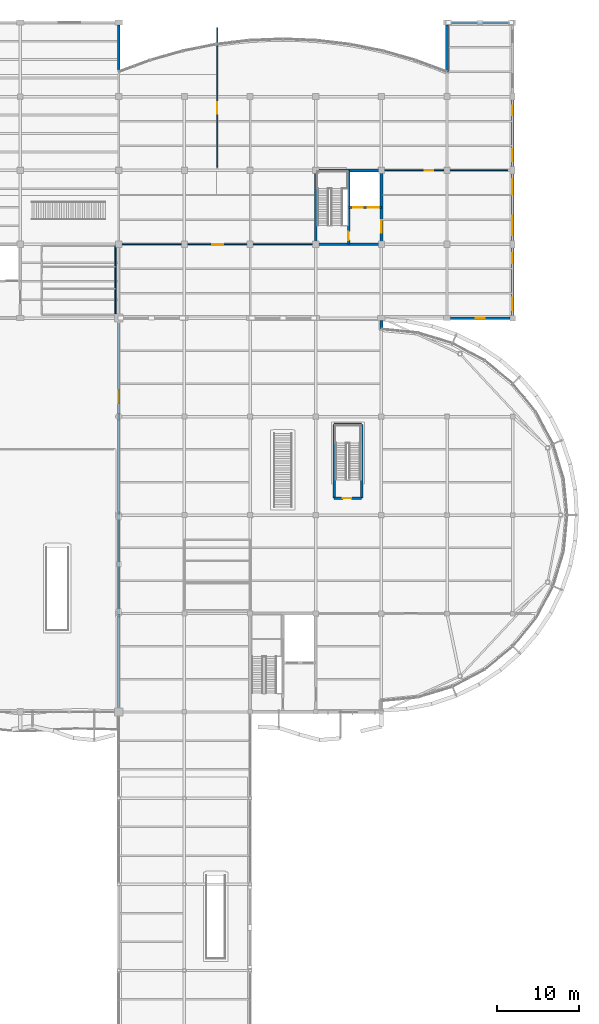
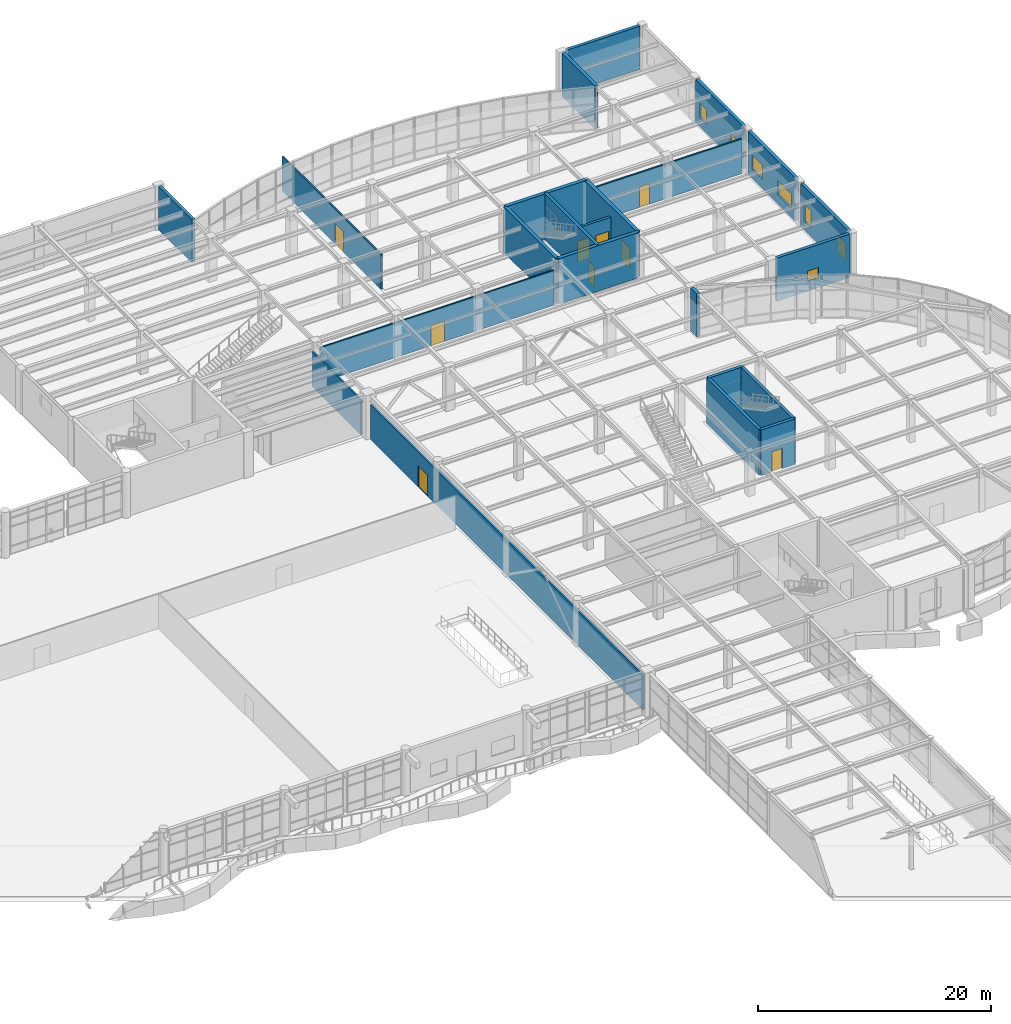
# One storey, part 54 of 72: 23 walls, 9 doors, 7 windows, 16 openings.
"""IFC4 building model written with IfcOpenShell, lengths in metres."""

import ifcopenshell
import ifcopenshell.guid

model = None  # the IFC model being written
_history = None  # IfcOwnerHistory: only IFC2X3 demands one
_inside = {}  # id of a spatial element -> (the spatial element, [elements in it])
_under = {}  # id of a project, library or spatial element -> (it, [spatial elements below it])
_declared = {}  # id of a project -> (the project, [libraries it declares])
_typed = {}  # id of a type object -> (the type object, [elements of that type])
_made_of = {}  # id of a material, layer set ... -> (it, [elements and type objects made of it])


def new_model(schema):
    """Start an empty IFC model of exactly this schema.

    Asked for "IFC4X3", IfcOpenShell would pick the latest addendum, in which some entities
    have other attributes; the version numbers below select the first issue.
    IFC2X3 requires an IfcOwnerHistory on every rooted entity: one is made here for all.
    """
    global model, _history
    if schema == "IFC4X3":
        model = ifcopenshell.file(schema_version=(4, 3, 0, 0))
    else:
        model = ifcopenshell.file(schema=schema)
    _inside.clear()
    _under.clear()
    _declared.clear()
    _typed.clear()
    _made_of.clear()
    _history = None
    if model.schema == "IFC2X3":
        org = make("IfcOrganization", Name="unknown")
        user = make(
            "IfcPersonAndOrganization",
            ThePerson=make("IfcPerson", FamilyName="unknown"),
            TheOrganization=org,
        )
        app = make(
            "IfcApplication",
            ApplicationDeveloper=org,
            Version="unknown",
            ApplicationFullName="unknown",
            ApplicationIdentifier="unknown",
        )
        _history = make(
            "IfcOwnerHistory",
            OwningUser=user,
            OwningApplication=app,
            ChangeAction="ADDED",
            CreationDate=0,
        )
    return model


def make(cls, **values):
    """One entity of the class cls with the attributes given. An attribute that is None is left unset."""
    return model.create_entity(
        cls, **{name: value for name, value in values.items() if value is not None}
    )


def rooted(cls, **values):
    """An entity with a GlobalId (a new one), such as an element, a storey or a relation."""
    return make(cls, GlobalId=ifcopenshell.guid.new(), OwnerHistory=_history, **values)


def si_unit(unit_type, name, prefix=None):
    """IfcSIUnit, for example si_unit("LENGTHUNIT", "METRE", prefix="MILLI")."""
    return make("IfcSIUnit", UnitType=unit_type, Prefix=prefix, Name=name)


def assignment(units):
    """IfcUnitAssignment: the units of a project."""
    return None if units is None else make("IfcUnitAssignment", Units=units)


def point(xyz):
    """IfcCartesianPoint."""
    return None if xyz is None else make("IfcCartesianPoint", Coordinates=xyz)


def direction(xyz):
    """IfcDirection."""
    return None if xyz is None else make("IfcDirection", DirectionRatios=xyz)


def frame(location, z_axis=None, x_axis=None):
    """IfcAxis2Placement3D, a coordinate frame: its origin and axes. An axis left out is left unset."""
    return make(
        "IfcAxis2Placement3D",
        Location=point(location),
        Axis=direction(z_axis),
        RefDirection=direction(x_axis),
    )


def frame_2d(location, x_axis=None):
    """IfcAxis2Placement2D, a coordinate frame in the plane: its origin and x axis."""
    return make(
        "IfcAxis2Placement2D", Location=point(location), RefDirection=direction(x_axis)
    )


def origin():
    """The frame at (0, 0, 0) with its axes left unset."""
    return frame((0.0, 0.0, 0.0))


def place(relative_to, where):
    """IfcLocalPlacement: puts the frame where relative to a parent placement (None: the world)."""
    return make(
        "IfcLocalPlacement", PlacementRelTo=relative_to, RelativePlacement=where
    )


def context(
    kind, dimensions, precision=None, world=None, true_north=None, identifier=None
):
    """IfcGeometricRepresentationContext, for example the 3D "Model" context."""
    return make(
        "IfcGeometricRepresentationContext",
        ContextIdentifier=identifier,
        ContextType=kind,
        CoordinateSpaceDimension=dimensions,
        Precision=precision,
        WorldCoordinateSystem=world,
        TrueNorth=true_north,
    )


def subcontext(parent, identifier, kind, view, scale=None):
    """IfcGeometricRepresentationSubContext, for example "Body" below "Model"."""
    return make(
        "IfcGeometricRepresentationSubContext",
        ContextIdentifier=identifier,
        ContextType=kind,
        ParentContext=parent,
        TargetScale=scale,
        TargetView=view,
    )


def project(units=None, contexts=None):
    """IfcProject with its units and contexts."""
    return rooted(
        "IfcProject",
        Name="project",
        RepresentationContexts=contexts,
        UnitsInContext=assignment(units),
    )


def spatial(cls, under=None, at=None, **own):
    """A site, building, storey or space (cls), placed at a placement, below another one or the project."""
    s = rooted(cls, ObjectPlacement=at, **own)
    if under is not None:
        _under.setdefault(under.id(), (under, []))[1].append(s)
    return s


def profile(cls, at=None, kind="AREA", **sizes):
    """A parametric profile (cls). Its sizes go by their IFC names, for example OverallWidth=200.0."""
    return make(cls, ProfileType=kind, Position=at, **sizes)


def rectangle(**sizes):
    """IfcRectangleProfileDef."""
    return profile("IfcRectangleProfileDef", **sizes)


def extrude(swept, where, along, depth):
    """IfcExtrudedAreaSolid: the profile swept, set in the frame where, extruded along a direction by depth."""
    return make(
        "IfcExtrudedAreaSolid",
        SweptArea=swept,
        Position=where,
        ExtrudedDirection=direction(along),
        Depth=depth,
    )


def shape(context_of_items, identifier, shape_type, items):
    """IfcShapeRepresentation: the items that make up one representation, for example the "Body"."""
    return make(
        "IfcShapeRepresentation",
        ContextOfItems=context_of_items,
        RepresentationIdentifier=identifier,
        RepresentationType=shape_type,
        Items=items,
    )


def material(Name=None, Category=None):
    """IfcMaterial."""
    return make("IfcMaterial", Name=Name, Category=Category)


def layer(
    of_material, thickness, ventilated=None, Name=None, Category=None, Priority=None
):
    """IfcMaterialLayer: one layer of a wall or slab, of a material (None: an air gap)."""
    return make(
        "IfcMaterialLayer",
        Material=of_material,
        LayerThickness=thickness,
        IsVentilated=ventilated,
        Name=Name,
        Category=Category,
        Priority=Priority,
    )


def layer_set(layers, Name=None):
    """IfcMaterialLayerSet."""
    return make("IfcMaterialLayerSet", MaterialLayers=layers, LayerSetName=Name)


def made_of(thing, what):
    """Note that an element or type object is made of a material, layer set ...; save() writes the relation."""
    if what is not None:
        _made_of.setdefault(what.id(), (what, []))[1].append(thing)
    return thing


def type_object(cls, material=None, **own):
    """A type object (cls), such as IfcWallType, which elements share."""
    return made_of(rooted(cls, **own), material)


def element(
    cls,
    number,
    at=None,
    inside=None,
    cuts=None,
    type_object=None,
    material=None,
    context=None,
    identifier="Body",
    shape_type=None,
    held_by="IfcProductDefinitionShape",
    body=None,
    shapes=None,
    **own,
):
    """One element of the class cls, such as IfcWall. Its Tag is "e" and its number.

    at: its placement. inside: the storey or other place that contains it. cuts: it is an
    opening in that element (IfcRelVoidsElement). A single representation is given by context,
    identifier, shape_type and body (its items); several are given by shapes. held_by: the class
    of the entity that holds the representations. save() writes the other relations.
    """
    e = rooted(cls, Tag="e%d" % number, ObjectPlacement=at, **own)
    if body is not None:
        shapes = [shape(context, identifier, shape_type, body)]
    if shapes is not None:
        e.Representation = make(held_by, Representations=shapes)
    if inside is not None:
        _inside.setdefault(inside.id(), (inside, []))[1].append(e)
    if cuts is not None:
        rooted(
            "IfcRelVoidsElement", RelatingBuildingElement=cuts, RelatedOpeningElement=e
        )
    if type_object is not None:
        _typed.setdefault(type_object.id(), (type_object, []))[1].append(e)
    return made_of(e, material)


def fill(opening, filler):
    """IfcRelFillsElement: the door or window that sits in an opening."""
    return rooted(
        "IfcRelFillsElement",
        RelatingOpeningElement=opening,
        RelatedBuildingElement=filler,
    )


def aggregate(whole, parts):
    """IfcRelAggregates: a whole, such as a stair, and the parts it consists of."""
    return rooted("IfcRelAggregates", RelatingObject=whole, RelatedObjects=parts)


def save(model, path):
    """Write the relations noted so far, then the file.

    IfcRelAggregates (storeys below a building ...), IfcRelContainedInSpatialStructure (elements
    in a storey), IfcRelDefinesByType, IfcRelAssociatesMaterial and IfcRelDeclares: one each for
    every whole, place, type object, material and project.
    """
    for whole, parts in _under.values():
        aggregate(whole, parts)
    for where, things in _inside.values():
        rooted(
            "IfcRelContainedInSpatialStructure",
            RelatedElements=things,
            RelatingStructure=where,
        )
    for kind, things in _typed.values():
        rooted("IfcRelDefinesByType", RelatedObjects=things, RelatingType=kind)
    for what, things in _made_of.values():
        rooted("IfcRelAssociatesMaterial", RelatedObjects=things, RelatingMaterial=what)
    for by, libraries in _declared.values():
        rooted("IfcRelDeclares", RelatingContext=by, RelatedDefinitions=libraries)
    model.write(path)


model = new_model("IFC4")

# Units and contexts
model_context = context("Model", 3, precision=1e-05, world=origin(), true_north=direction((0.0, 1.0)))
body_context = subcontext(model_context, "Body", "Model", "MODEL_VIEW")
ifc_project = project(units=[si_unit("LENGTHUNIT", "METRE"), si_unit("AREAUNIT", "SQUARE_METRE"), si_unit("VOLUMEUNIT", "CUBIC_METRE"), si_unit("PLANEANGLEUNIT", "RADIAN"), si_unit("MASSUNIT", "GRAM", prefix="KILO")], contexts=[model_context])

# Site, building, storey
site_placement = place(None, origin())
site = spatial("IfcSite", under=ifc_project, at=site_placement, CompositionType="ELEMENT")
building_placement = place(site_placement, origin())
building = spatial("IfcBuilding", under=site, at=building_placement, Name="Keelwater Ferry Terminal", CompositionType="ELEMENT")
storey_placement = place(building_placement, frame((0.0, 0.0, 5.39990234375)))
storey = spatial("IfcBuildingStorey", under=building, at=storey_placement, Name="L01", CompositionType="ELEMENT", Elevation=5.39990234375)

# Wall
ifc_material_1 = material(Name="Precast concrete C40/50", Category="concrete")
ifc_layer_1 = layer(ifc_material_1, 0.340087890625)
ifc_layer_set_1 = layer_set([ifc_layer_1], Name="Precast concrete C40/50")
wall_type_1 = type_object("IfcWallType", Name="EW-LM340 External Solid Wall 340", PredefinedType="SOLIDWALL", material=ifc_layer_set_1)
wall_1_placement = place(storey_placement, frame((164.0, 88.64990234375, 0.0), z_axis=(0.0, 0.0, 1.0), x_axis=(0.0, 1.0, 0.0)))
element("IfcWall", 1, at=wall_1_placement, inside=storey, type_object=wall_type_1, Name="External Wall WL-L01-0024", PredefinedType="SOLIDWALL", context=body_context, shape_type="SweptSolid", body=[
    extrude(rectangle(XDim=1.050048828125, YDim=0.340087890625, at=frame_2d((0.52490234375, 0.0))), origin(), (0.0, 0.0, 1.0), 4.52001953125),
])

# Wall, openings, windows
ifc_material_2 = material(Name="Precast concrete C40/50", Category="concrete")
ifc_layer_2 = layer(ifc_material_2, 0.320068359375)
ifc_layer_set_2 = layer_set([ifc_layer_2], Name="Precast concrete C40/50")
wall_type_2 = type_object("IfcWallType", Name="EW-TC320 External Solid Wall 320", PredefinedType="SOLIDWALL", material=ifc_layer_set_2)
wall_2_placement = place(storey_placement, frame((180.0, 90.324951171875, 0.0), z_axis=(0.0, 0.0, 1.0), x_axis=(0.0, 1.0, 0.0)))
wall_2 = element("IfcWall", 2, at=wall_2_placement, inside=storey, type_object=wall_type_2, Name="External Wall WL-L01-0083", PredefinedType="SOLIDWALL", context=body_context, shape_type="SweptSolid", body=[
    extrude(rectangle(XDim=8.22509765625, YDim=0.320068359375, at=frame_2d((4.112548828125, 0.0))), origin(), (0.0, 0.0, 1.0), 4.52001953125),
])
opening_1_placement = place(wall_2_placement, frame((0.64990234375, 0.0, 0.949951171875)))
opening_1 = element("IfcOpeningElement", 3, at=opening_1_placement, cuts=wall_2, Name="Opening WN-09", PredefinedType="OPENING", context=body_context, shape_type="SweptSolid", body=[
    extrude(rectangle(XDim=1.5, YDim=1.800048828125, at=frame_2d((0.75, 0.89990234375))), frame((0.0, 0.170166015625, 0.0), z_axis=(0.0, -1.0, 0.0), x_axis=(1.0, 0.0, 0.0)), (0.0, 0.0, 1.0), 0.340087890625),
])
opening_2_placement = place(wall_2_placement, frame((6.375, 0.0, 0.949951171875)))
opening_2 = element("IfcOpeningElement", 4, at=opening_2_placement, cuts=wall_2, Name="Opening WN-10", PredefinedType="OPENING", context=body_context, shape_type="SweptSolid", body=[
    extrude(rectangle(XDim=1.199951171875, YDim=1.800048828125, at=frame_2d((0.60009765625, 0.89990234375))), frame((0.0, 0.170166015625, 0.0), z_axis=(0.0, -1.0, 0.0), x_axis=(1.0, 0.0, 0.0)), (0.0, 0.0, 1.0), 0.340087890625),
])
ifc_material_3 = material(Name="Triple low-E glass in thermally broken aluminium frame", Category="aluminium")
window_type_1 = type_object("IfcWindowType", Name="WN-09 Exterior Window 1500x1800", PartitioningType="SINGLE_PANEL", PredefinedType="WINDOW", material=ifc_material_3)
window_1_placement = place(opening_1_placement, origin())
window_1 = element("IfcWindow", 5, at=window_1_placement, inside=storey, type_object=window_type_1, Name="Window WN-L01-0041", OverallHeight=1.800048828125, OverallWidth=1.5, PartitioningType="SINGLE_PANEL", PredefinedType="WINDOW", context=body_context, shape_type="SweptSolid", body=[
    extrude(rectangle(XDim=1.5, YDim=1.800048828125, at=frame_2d((0.75, 0.89990234375))), frame((0.0, 0.030029296875, 0.0), z_axis=(0.0, -1.0, 0.0), x_axis=(1.0, 0.0, 0.0)), (0.0, 0.0, 1.0), 0.06005859375),
])
fill(opening_1, window_1)
ifc_material_4 = material(Name="Triple low-E glass in thermally broken aluminium frame", Category="aluminium")
window_type_2 = type_object("IfcWindowType", Name="WN-10 Exterior Window 1200x1800", PartitioningType="SINGLE_PANEL", PredefinedType="WINDOW", material=ifc_material_4)
window_2_placement = place(opening_2_placement, origin())
window_2 = element("IfcWindow", 6, at=window_2_placement, inside=storey, type_object=window_type_2, Name="Window WN-L01-0042", OverallHeight=1.800048828125, OverallWidth=1.199951171875, PartitioningType="SINGLE_PANEL", PredefinedType="WINDOW", context=body_context, shape_type="SweptSolid", body=[
    extrude(rectangle(XDim=1.199951171875, YDim=1.800048828125, at=frame_2d((0.60009765625, 0.89990234375))), frame((0.0, 0.030029296875, 0.0), z_axis=(0.0, -1.0, 0.0), x_axis=(1.0, 0.0, 0.0)), (0.0, 0.0, 1.0), 0.06005859375),
])
fill(opening_2, window_2)

wall_3_placement = place(storey_placement, frame((180.0, 99.449951171875, 0.0), z_axis=(0.0, 0.0, 1.0), x_axis=(0.0, 1.0, 0.0)))
wall_3 = element("IfcWall", 7, at=wall_3_placement, inside=storey, type_object=wall_type_2, Name="External Wall WL-L01-0084", PredefinedType="SOLIDWALL", context=body_context, shape_type="SweptSolid", body=[
    extrude(rectangle(XDim=8.10009765625, YDim=0.320068359375, at=frame_2d((4.050048828125, 0.0))), origin(), (0.0, 0.0, 1.0), 4.52001953125),
])
opening_3_placement = place(wall_3_placement, frame((0.64990234375, 0.0, 0.949951171875)))
opening_3 = element("IfcOpeningElement", 8, at=opening_3_placement, cuts=wall_3, Name="Opening WN-11", PredefinedType="OPENING", context=body_context, shape_type="SweptSolid", body=[
    extrude(rectangle(XDim=2.39990234375, YDim=1.5, at=frame_2d((1.199951171875, 0.75))), frame((0.0, 0.170166015625, 0.0), z_axis=(0.0, -1.0, 0.0), x_axis=(1.0, 0.0, 0.0)), (0.0, 0.0, 1.0), 0.340087890625),
])
opening_4_placement = place(wall_3_placement, frame((5.64990234375, 0.0, 0.949951171875)))
opening_4 = element("IfcOpeningElement", 9, at=opening_4_placement, cuts=wall_3, Name="Opening WN-12", PredefinedType="OPENING", context=body_context, shape_type="SweptSolid", body=[
    extrude(rectangle(XDim=1.800048828125, YDim=1.5, at=frame_2d((0.89990234375, 0.75))), frame((0.0, 0.170166015625, 0.0), z_axis=(0.0, -1.0, 0.0), x_axis=(1.0, 0.0, 0.0)), (0.0, 0.0, 1.0), 0.340087890625),
])
ifc_material_5 = material(Name="Triple low-E glass in thermally broken aluminium frame", Category="aluminium")
window_type_3 = type_object("IfcWindowType", Name="WN-11 Exterior Window 2400x1500", PartitioningType="SINGLE_PANEL", PredefinedType="WINDOW", material=ifc_material_5)
window_3_placement = place(opening_3_placement, origin())
window_3 = element("IfcWindow", 10, at=window_3_placement, inside=storey, type_object=window_type_3, Name="Window WN-L01-0043", OverallHeight=1.5, OverallWidth=2.39990234375, PartitioningType="SINGLE_PANEL", PredefinedType="WINDOW", context=body_context, shape_type="SweptSolid", body=[
    extrude(rectangle(XDim=2.39990234375, YDim=1.5, at=frame_2d((1.199951171875, 0.75))), frame((0.0, 0.030029296875, 0.0), z_axis=(0.0, -1.0, 0.0), x_axis=(1.0, 0.0, 0.0)), (0.0, 0.0, 1.0), 0.06005859375),
])
fill(opening_3, window_3)
ifc_material_6 = material(Name="Triple low-E glass in thermally broken aluminium frame", Category="aluminium")
window_type_4 = type_object("IfcWindowType", Name="WN-12 Exterior Window 1800x1500", PartitioningType="SINGLE_PANEL", PredefinedType="WINDOW", material=ifc_material_6)
window_4_placement = place(opening_4_placement, origin())
window_4 = element("IfcWindow", 11, at=window_4_placement, inside=storey, type_object=window_type_4, Name="Window WN-L01-0044", OverallHeight=1.5, OverallWidth=1.800048828125, PartitioningType="SINGLE_PANEL", PredefinedType="WINDOW", context=body_context, shape_type="SweptSolid", body=[
    extrude(rectangle(XDim=1.800048828125, YDim=1.5, at=frame_2d((0.89990234375, 0.75))), frame((0.0, 0.030029296875, 0.0), z_axis=(0.0, -1.0, 0.0), x_axis=(1.0, 0.0, 0.0)), (0.0, 0.0, 1.0), 0.06005859375),
])
fill(opening_4, window_4)

wall_4_placement = place(storey_placement, frame((180.0, 108.449951171875, 0.0), z_axis=(0.0, 0.0, 1.0), x_axis=(0.0, 1.0, 0.0)))
wall_4 = element("IfcWall", 12, at=wall_4_placement, inside=storey, type_object=wall_type_2, Name="External Wall WL-L01-0085", PredefinedType="SOLIDWALL", context=body_context, shape_type="SweptSolid", body=[
    extrude(rectangle(XDim=8.10009765625, YDim=0.320068359375, at=frame_2d((4.050048828125, 0.0))), origin(), (0.0, 0.0, 1.0), 4.52001953125),
])
opening_5_placement = place(wall_4_placement, frame((0.64990234375, 0.0, 0.949951171875)))
opening_5 = element("IfcOpeningElement", 13, at=opening_5_placement, cuts=wall_4, Name="Opening WN-13", PredefinedType="OPENING", context=body_context, shape_type="SweptSolid", body=[
    extrude(rectangle(XDim=1.5, YDim=1.5, at=frame_2d((0.75, 0.75))), frame((0.0, 0.170166015625, 0.0), z_axis=(0.0, -1.0, 0.0), x_axis=(1.0, 0.0, 0.0)), (0.0, 0.0, 1.0), 0.340087890625),
])
opening_6_placement = place(wall_4_placement, frame((6.25, 0.0, 0.949951171875)))
opening_6 = element("IfcOpeningElement", 14, at=opening_6_placement, cuts=wall_4, Name="Opening WN-14", PredefinedType="OPENING", context=body_context, shape_type="SweptSolid", body=[
    extrude(rectangle(XDim=1.199951171875, YDim=1.5, at=frame_2d((0.60009765625, 0.75))), frame((0.0, 0.170166015625, 0.0), z_axis=(0.0, -1.0, 0.0), x_axis=(1.0, 0.0, 0.0)), (0.0, 0.0, 1.0), 0.340087890625),
])
ifc_material_7 = material(Name="Triple low-E glass in thermally broken aluminium frame", Category="aluminium")
window_type_5 = type_object("IfcWindowType", Name="WN-13 Exterior Window 1500x1500", PartitioningType="SINGLE_PANEL", PredefinedType="WINDOW", material=ifc_material_7)
window_5_placement = place(opening_5_placement, origin())
window_5 = element("IfcWindow", 15, at=window_5_placement, inside=storey, type_object=window_type_5, Name="Window WN-L01-0045", OverallHeight=1.5, OverallWidth=1.5, PartitioningType="SINGLE_PANEL", PredefinedType="WINDOW", context=body_context, shape_type="SweptSolid", body=[
    extrude(rectangle(XDim=1.5, YDim=1.5, at=frame_2d((0.75, 0.75))), frame((0.0, 0.030029296875, 0.0), z_axis=(0.0, -1.0, 0.0), x_axis=(1.0, 0.0, 0.0)), (0.0, 0.0, 1.0), 0.06005859375),
])
fill(opening_5, window_5)
ifc_material_8 = material(Name="Triple low-E glass in thermally broken aluminium frame", Category="aluminium")
window_type_6 = type_object("IfcWindowType", Name="WN-14 Exterior Window 1200x1500", PartitioningType="SINGLE_PANEL", PredefinedType="WINDOW", material=ifc_material_8)
window_6_placement = place(opening_6_placement, origin())
window_6 = element("IfcWindow", 16, at=window_6_placement, inside=storey, type_object=window_type_6, Name="Window WN-L01-0046", OverallHeight=1.5, OverallWidth=1.199951171875, PartitioningType="SINGLE_PANEL", PredefinedType="WINDOW", context=body_context, shape_type="SweptSolid", body=[
    extrude(rectangle(XDim=1.199951171875, YDim=1.5, at=frame_2d((0.60009765625, 0.75))), frame((0.0, 0.030029296875, 0.0), z_axis=(0.0, -1.0, 0.0), x_axis=(1.0, 0.0, 0.0)), (0.0, 0.0, 1.0), 0.06005859375),
])
fill(opening_6, window_6)

# Wall, opening, window
wall_5_placement = place(storey_placement, frame((179.675048828125, 90.0, 0.0), z_axis=(0.0, 0.0, 1.0), x_axis=(-1.0, 0.0, 0.0)))
wall_5 = element("IfcWall", 17, at=wall_5_placement, inside=storey, type_object=wall_type_2, Name="External Wall WL-L01-0087", PredefinedType="SOLIDWALL", context=body_context, shape_type="SweptSolid", body=[
    extrude(rectangle(XDim=7.22509765625, YDim=0.320068359375, at=frame_2d((3.612548828125, 0.0))), origin(), (0.0, 0.0, 1.0), 4.52001953125),
])
opening_7_placement = place(wall_5_placement, frame((3.06298828125, 0.0, 1.0)))
opening_7 = element("IfcOpeningElement", 18, at=opening_7_placement, cuts=wall_5, Name="Opening WN-17", PredefinedType="OPENING", context=body_context, shape_type="SweptSolid", body=[
    extrude(rectangle(XDim=1.10009765625, YDim=1.10009765625, at=frame_2d((0.550048828125, 0.550048828125))), frame((0.0, 0.170166015625, 0.0), z_axis=(0.0, -1.0, 0.0), x_axis=(1.0, 0.0, 0.0)), (0.0, 0.0, 1.0), 0.340087890625),
])
ifc_material_9 = material(Name="Triple low-E glass in thermally broken aluminium frame", Category="aluminium")
window_type_7 = type_object("IfcWindowType", Name="WN-17 Exterior Window 1100x1100", PartitioningType="SINGLE_PANEL", PredefinedType="WINDOW", material=ifc_material_9)
window_7_placement = place(opening_7_placement, origin())
window_7 = element("IfcWindow", 19, at=window_7_placement, inside=storey, type_object=window_type_7, Name="Window WN-L01-0049", OverallHeight=1.10009765625, OverallWidth=1.10009765625, PartitioningType="SINGLE_PANEL", PredefinedType="WINDOW", context=body_context, shape_type="SweptSolid", body=[
    extrude(rectangle(XDim=1.10009765625, YDim=1.10009765625, at=frame_2d((0.550048828125, 0.550048828125))), frame((0.0, 0.030029296875, 0.0), z_axis=(0.0, -1.0, 0.0), x_axis=(1.0, 0.0, 0.0)), (0.0, 0.0, 1.0), 0.06005859375),
])
fill(opening_7, window_7)

# Walls
for number, where, z_axis, x_axis, name in (
    (20, (132.0, 125.699951171875, 0.0), (0.0, 0.0, 1.0), (0.0, -1.0, 0.0), "External Wall WL-L01-0091"),
    (21, (172.0, 120.0, 0.0), (0.0, 0.0, 1.0), (0.0, 1.0, 0.0), "External Wall WL-L01-0092"),
):
    element("IfcWall", number, at=place(storey_placement, frame(where, z_axis=z_axis, x_axis=x_axis)), inside=storey, type_object=wall_type_2, Name=name, PredefinedType="SOLIDWALL", context=body_context, shape_type="SweptSolid", body=[
        extrude(rectangle(XDim=5.699951171875, YDim=0.320068359375, at=frame_2d((2.85009765625, 0.0))), origin(), (0.0, 0.0, 1.0), 4.52001953125),
    ])
wall_6_placement = place(storey_placement, frame((172.449951171875, 126.0, 0.0), z_axis=(0.0, 0.0, 1.0), x_axis=(1.0, 0.0, 0.0)))
element("IfcWall", 22, at=wall_6_placement, inside=storey, type_object=wall_type_2, Name="External Wall WL-L01-0095", PredefinedType="SOLIDWALL", context=body_context, shape_type="SweptSolid", body=[
    extrude(rectangle(XDim=7.22509765625, YDim=0.320068359375, at=frame_2d((3.612548828125, 0.0))), origin(), (0.0, 0.0, 1.0), 4.52001953125),
])

# Wall, opening, door
ifc_material_10 = material(Name="Concrete C40/50", Category="concrete")
ifc_layer_3 = layer(ifc_material_10, 0.199951171875)
ifc_layer_set_3 = layer_set([ifc_layer_3], Name="Concrete C40/50")
wall_type_3 = type_object("IfcWallType", Name="IW-200 Solid Wall 200", PredefinedType="SOLIDWALL", material=ifc_layer_set_3)
wall_7_placement = place(storey_placement, frame((132.0, 42.60009765625, 0.0), z_axis=(0.0, 0.0, 1.0), x_axis=(0.0, 1.0, 0.0)))
wall_7 = element("IfcWall", 23, at=wall_7_placement, inside=storey, type_object=wall_type_3, Name="Interior Wall WL-INT-L01-0246", PredefinedType="SOLIDWALL", context=body_context, shape_type="SweptSolid", body=[
    extrude(rectangle(XDim=46.7998046875, YDim=0.199951171875, at=frame_2d((23.39990234375, 0.0))), origin(), (0.0, 0.0, 1.0), 3.650146484375),
])
opening_8_placement = place(wall_7_placement, frame((37.0, 0.0, 0.0)))
opening_8 = element("IfcOpeningElement", 24, at=opening_8_placement, cuts=wall_7, Name="Opening DR-027", PredefinedType="OPENING", context=body_context, shape_type="SweptSolid", body=[
    extrude(rectangle(XDim=1.60009765625, YDim=2.199951171875, at=frame_2d((0.800048828125, 1.10009765625))), frame((0.0, 0.110107421875, 0.0), z_axis=(0.0, -1.0, 0.0), x_axis=(1.0, 0.0, 0.0)), (0.0, 0.0, 1.0), 0.219970703125),
])
ifc_material_11 = material(Name="Acoustic oak and fire-rated steel frame door", Category="steel")
door_type_1 = type_object("IfcDoorType", Name="ID-01 Pedestrian Door 1600x2200", OperationType="DOUBLE_DOOR_SINGLE_SWING", PredefinedType="DOOR", material=ifc_material_11)
door_1_placement = place(opening_8_placement, origin())
door_1 = element("IfcDoor", 25, at=door_1_placement, inside=storey, type_object=door_type_1, Name="Door DR-027", OperationType="DOUBLE_DOOR_SINGLE_SWING", OverallHeight=2.199951171875, OverallWidth=1.60009765625, PredefinedType="DOOR", context=body_context, shape_type="SweptSolid", body=[
    extrude(rectangle(XDim=1.60009765625, YDim=2.199951171875, at=frame_2d((0.800048828125, 1.10009765625))), frame((0.0, 0.02490234375, 0.0), z_axis=(0.0, -1.0, 0.0), x_axis=(1.0, 0.0, 0.0)), (0.0, 0.0, 1.0), 0.050048828125),
])
fill(opening_8, door_1)

# Wall, openings, doors
ifc_material_12 = material(Name="Concrete C40/50", Category="concrete")
ifc_layer_4 = layer(ifc_material_12, 0.25)
ifc_layer_set_4 = layer_set([ifc_layer_4], Name="Concrete C40/50")
wall_type_4 = type_object("IfcWallType", Name="IW-250 Solid Wall 250", PredefinedType="SOLIDWALL", material=ifc_layer_set_4)
wall_8_placement = place(storey_placement, frame((164.0, 103.5, 0.0), z_axis=(0.0, 0.0, 1.0), x_axis=(-1.0, 0.0, 0.0)))
wall_8 = element("IfcWall", 26, at=wall_8_placement, inside=storey, type_object=wall_type_4, Name="Interior Wall WL-INT-L01-0066", PredefinedType="SOLIDWALL", context=body_context, shape_type="SweptSolid", body=[
    extrude(rectangle(XDim=4.0, YDim=0.25, at=frame_2d((2.0, 0.0))), origin(), (0.0, 0.0, 1.0), 3.650146484375),
])
opening_9_placement = place(wall_8_placement, frame((0.35009765625, 0.0, 0.0)))
opening_9 = element("IfcOpeningElement", 27, at=opening_9_placement, cuts=wall_8, Name="Opening LD-021", PredefinedType="OPENING", context=body_context, shape_type="SweptSolid", body=[
    extrude(rectangle(XDim=1.300048828125, YDim=2.25, at=frame_2d((0.64990234375, 1.125))), frame((0.0, 0.135009765625, 0.0), z_axis=(0.0, -1.0, 0.0), x_axis=(1.0, 0.0, 0.0)), (0.0, 0.0, 1.0), 0.27001953125),
])
opening_10_placement = place(wall_8_placement, frame((2.25, 0.0, 0.0)))
opening_10 = element("IfcOpeningElement", 28, at=opening_10_placement, cuts=wall_8, Name="Opening LD-022", PredefinedType="OPENING", context=body_context, shape_type="SweptSolid", body=[
    extrude(rectangle(XDim=1.199951171875, YDim=2.199951171875, at=frame_2d((0.60009765625, 1.10009765625))), frame((0.0, 0.135009765625, 0.0), z_axis=(0.0, -1.0, 0.0), x_axis=(1.0, 0.0, 0.0)), (0.0, 0.0, 1.0), 0.27001953125),
])
ifc_material_13 = material(Name="Stainless steel sliding landing doors", Category="steel")
door_type_2 = type_object("IfcDoorType", Name="LD-T2 Lift Landing Door 1200x2200", OperationType="DOUBLE_DOOR_SLIDING", PredefinedType="USERDEFINED", material=ifc_material_13)
door_2_placement = place(opening_10_placement, origin())
door_2 = element("IfcDoor", 29, at=door_2_placement, inside=storey, type_object=door_type_2, Name="Door LD-022", ObjectType="LANDING DOOR", OperationType="DOUBLE_DOOR_SLIDING", OverallHeight=2.199951171875, OverallWidth=1.199951171875, PredefinedType="USERDEFINED", context=body_context, shape_type="SweptSolid", body=[
    extrude(rectangle(XDim=1.199951171875, YDim=2.199951171875, at=frame_2d((0.60009765625, 1.10009765625))), frame((0.0, 0.02490234375, 0.0), z_axis=(0.0, -1.0, 0.0), x_axis=(1.0, 0.0, 0.0)), (0.0, 0.0, 1.0), 0.050048828125),
])
fill(opening_10, door_2)
ifc_material_14 = material(Name="Stainless steel sliding landing doors", Category="steel")
door_type_3 = type_object("IfcDoorType", Name="LD-T3 Lift Landing Door 1300x2250", OperationType="DOUBLE_DOOR_SLIDING", PredefinedType="USERDEFINED", material=ifc_material_14)
door_3_placement = place(opening_9_placement, origin())
door_3 = element("IfcDoor", 30, at=door_3_placement, inside=storey, type_object=door_type_3, Name="Door LD-021", ObjectType="LANDING DOOR", OperationType="DOUBLE_DOOR_SLIDING", OverallHeight=2.25, OverallWidth=1.300048828125, PredefinedType="USERDEFINED", context=body_context, shape_type="SweptSolid", body=[
    extrude(rectangle(XDim=1.300048828125, YDim=2.25, at=frame_2d((0.64990234375, 1.125))), frame((0.0, 0.02490234375, 0.0), z_axis=(0.0, -1.0, 0.0), x_axis=(1.0, 0.0, 0.0)), (0.0, 0.0, 1.0), 0.050048828125),
])
fill(opening_9, door_3)

# Wall, opening, door
ifc_material_15 = material(Name="Gypsum board on acoustic steel stud", Category="steel")
ifc_layer_5 = layer(ifc_material_15, 0.125)
ifc_layer_set_5 = layer_set([ifc_layer_5], Name="Gypsum board on acoustic steel stud")
wall_type_5 = type_object("IfcWallType", Name="PT-125 Partition Wall 125", PredefinedType="PARTITIONING", material=ifc_layer_set_5)
wall_9_placement = place(storey_placement, frame((132.39990234375, 99.0, 0.0), z_axis=(0.0, 0.0, 1.0), x_axis=(1.0, 0.0, 0.0)))
wall_9 = element("IfcWall", 31, at=wall_9_placement, inside=storey, type_object=wall_type_5, Name="Interior Wall WL-INT-L01-0249", PredefinedType="PARTITIONING", context=body_context, shape_type="SweptSolid", body=[
    extrude(rectangle(XDim=23.2001953125, YDim=0.125, at=frame_2d((11.60009765625, 0.0))), origin(), (0.0, 0.0, 1.0), 3.650146484375),
])
opening_11_placement = place(wall_9_placement, frame((11.0, 0.0, 0.0)))
opening_11 = element("IfcOpeningElement", 32, at=opening_11_placement, cuts=wall_9, Name="Opening DR-030", PredefinedType="OPENING", context=body_context, shape_type="SweptSolid", body=[
    extrude(rectangle(XDim=1.35009765625, YDim=2.14990234375, at=frame_2d((0.675048828125, 1.074951171875))), frame((0.0, 0.072509765625, 0.0), z_axis=(0.0, -1.0, 0.0), x_axis=(1.0, 0.0, 0.0)), (0.0, 0.0, 1.0), 0.14501953125),
])
ifc_material_16 = material(Name="Acoustic oak and fire-rated steel frame door", Category="steel")
door_type_4 = type_object("IfcDoorType", Name="ID-04 Pedestrian Door 1350x2150", OperationType="DOUBLE_DOOR_SINGLE_SWING", PredefinedType="DOOR", material=ifc_material_16)
door_4_placement = place(opening_11_placement, origin())
door_4 = element("IfcDoor", 33, at=door_4_placement, inside=storey, type_object=door_type_4, Name="Door DR-030", OperationType="DOUBLE_DOOR_SINGLE_SWING", OverallHeight=2.14990234375, OverallWidth=1.35009765625, PredefinedType="DOOR", context=body_context, shape_type="SweptSolid", body=[
    extrude(rectangle(XDim=1.35009765625, YDim=2.14990234375, at=frame_2d((0.675048828125, 1.074951171875))), frame((0.0, 0.02490234375, 0.0), z_axis=(0.0, -1.0, 0.0), x_axis=(1.0, 0.0, 0.0)), (0.0, 0.0, 1.0), 0.050048828125),
])
fill(opening_11, door_4)

# Wall
ifc_material_17 = material(Name="Gypsum board on acoustic steel stud", Category="steel")
ifc_layer_6 = layer(ifc_material_17, 0.14990234375)
ifc_layer_set_6 = layer_set([ifc_layer_6], Name="Gypsum board on acoustic steel stud")
wall_type_6 = type_object("IfcWallType", Name="PT-150 Partition Wall 150", PredefinedType="PARTITIONING", material=ifc_layer_set_6)
wall_10_placement = place(storey_placement, frame((131.60009765625, 90.39990234375, 0.0), z_axis=(0.0, 0.0, 1.0), x_axis=(0.0, 1.0, 0.0)))
element("IfcWall", 34, at=wall_10_placement, inside=storey, type_object=wall_type_6, Name="Interior Wall WL-INT-L01-0173", PredefinedType="PARTITIONING", context=body_context, shape_type="SweptSolid", body=[
    extrude(rectangle(XDim=8.400146484375, YDim=0.14990234375, at=frame_2d((4.2001953125, 0.0))), origin(), (0.0, 0.0, 1.0), 3.650146484375),
])

# Wall, opening, door
wall_11_placement = place(storey_placement, frame((144.0, 108.39990234375, 0.0), z_axis=(0.0, 0.0, 1.0), x_axis=(0.0, 1.0, 0.0)))
wall_11 = element("IfcWall", 35, at=wall_11_placement, inside=storey, type_object=wall_type_6, Name="Interior Wall WL-INT-L01-0248", PredefinedType="PARTITIONING", context=body_context, shape_type="SweptSolid", body=[
    extrude(rectangle(XDim=17.0, YDim=0.14990234375, at=frame_2d((8.5, 0.0))), origin(), (0.0, 0.0, 1.0), 3.650146484375),
])
opening_12_placement = place(wall_11_placement, frame((6.5, 0.0, 0.0)))
opening_12 = element("IfcOpeningElement", 36, at=opening_12_placement, cuts=wall_11, Name="Opening DR-029", PredefinedType="OPENING", context=body_context, shape_type="SweptSolid", body=[
    extrude(rectangle(XDim=1.39990234375, YDim=2.14990234375, at=frame_2d((0.699951171875, 1.074951171875))), frame((0.0, 0.0849609375, 0.0), z_axis=(0.0, -1.0, 0.0), x_axis=(1.0, 0.0, 0.0)), (0.0, 0.0, 1.0), 0.169921875),
])
ifc_material_18 = material(Name="Acoustic oak and fire-rated steel frame door", Category="steel")
door_type_5 = type_object("IfcDoorType", Name="ID-03 Pedestrian Door 1400x2150", OperationType="DOUBLE_DOOR_SINGLE_SWING", PredefinedType="DOOR", material=ifc_material_18)
door_5_placement = place(opening_12_placement, origin())
door_5 = element("IfcDoor", 37, at=door_5_placement, inside=storey, type_object=door_type_5, Name="Door DR-029", OperationType="DOUBLE_DOOR_SINGLE_SWING", OverallHeight=2.14990234375, OverallWidth=1.39990234375, PredefinedType="DOOR", context=body_context, shape_type="SweptSolid", body=[
    extrude(rectangle(XDim=1.39990234375, YDim=2.14990234375, at=frame_2d((0.699951171875, 1.074951171875))), frame((0.0, 0.02490234375, 0.0), z_axis=(0.0, -1.0, 0.0), x_axis=(1.0, 0.0, 0.0)), (0.0, 0.0, 1.0), 0.050048828125),
])
fill(opening_12, door_5)

wall_12_placement = place(storey_placement, frame((164.39990234375, 108.0, 0.0), z_axis=(0.0, 0.0, 1.0), x_axis=(1.0, 0.0, 0.0)))
wall_12 = element("IfcWall", 38, at=wall_12_placement, inside=storey, type_object=wall_type_6, Name="Interior Wall WL-INT-L01-0250", PredefinedType="PARTITIONING", context=body_context, shape_type="SweptSolid", body=[
    extrude(rectangle(XDim=15.0, YDim=0.14990234375, at=frame_2d((7.5, 0.0))), origin(), (0.0, 0.0, 1.0), 3.650146484375),
])
opening_13_placement = place(wall_12_placement, frame((4.89990234375, 0.0, 0.0)))
opening_13 = element("IfcOpeningElement", 39, at=opening_13_placement, cuts=wall_12, Name="Opening DR-031", PredefinedType="OPENING", context=body_context, shape_type="SweptSolid", body=[
    extrude(rectangle(XDim=1.0, YDim=2.14990234375, at=frame_2d((0.5, 1.074951171875))), frame((0.0, 0.0849609375, 0.0), z_axis=(0.0, -1.0, 0.0), x_axis=(1.0, 0.0, 0.0)), (0.0, 0.0, 1.0), 0.169921875),
])
ifc_material_19 = material(Name="Acoustic oak and fire-rated steel frame door", Category="steel")
door_type_6 = type_object("IfcDoorType", Name="ID-07 Pedestrian Door 1000x2150", OperationType="NOTDEFINED", PredefinedType="DOOR", material=ifc_material_19)
door_6_placement = place(opening_13_placement, origin())
door_6 = element("IfcDoor", 40, at=door_6_placement, inside=storey, type_object=door_type_6, Name="Door DR-031", OperationType="SINGLE_SWING_LEFT", OverallHeight=2.14990234375, OverallWidth=1.0, PredefinedType="DOOR", context=body_context, shape_type="SweptSolid", body=[
    extrude(rectangle(XDim=1.0, YDim=2.14990234375, at=frame_2d((0.5, 1.074951171875))), frame((0.0, 0.02490234375, 0.0), z_axis=(0.0, -1.0, 0.0), x_axis=(1.0, 0.0, 0.0)), (0.0, 0.0, 1.0), 0.050048828125),
])
fill(opening_13, door_6)

ifc_material_20 = material(Name="Concrete C45/55", Category="concrete")
ifc_layer_7 = layer(ifc_material_20, 0.300048828125)
ifc_layer_set_7 = layer_set([ifc_layer_7], Name="Concrete C45/55")
wall_type_7 = type_object("IfcWallType", Name="SW-300 Shear Wall 300", PredefinedType="SHEAR", material=ifc_layer_set_7)
wall_13_placement = place(storey_placement, frame((160.0, 108.0, 0.0), z_axis=(0.0, 0.0, 1.0), x_axis=(0.0, -1.0, 0.0)))
wall_13 = element("IfcWall", 41, at=wall_13_placement, inside=storey, type_object=wall_type_7, Name="Interior Wall WL-INT-L01-0065", PredefinedType="SHEAR", context=body_context, shape_type="SweptSolid", body=[
    extrude(rectangle(XDim=9.0, YDim=0.300048828125, at=frame_2d((4.5, 0.0))), origin(), (0.0, 0.0, 1.0), 4.780029296875),
])
opening_14_placement = place(wall_13_placement, frame((7.449951171875, 0.0, 0.0)))
opening_14 = element("IfcOpeningElement", 42, at=opening_14_placement, cuts=wall_13, Name="Opening FD-021", PredefinedType="OPENING", context=body_context, shape_type="SweptSolid", body=[
    extrude(rectangle(XDim=1.050048828125, YDim=2.14990234375, at=frame_2d((0.52490234375, 1.074951171875))), frame((0.0, 0.159912109375, 0.0), z_axis=(0.0, -1.0, 0.0), x_axis=(1.0, 0.0, 0.0)), (0.0, 0.0, 1.0), 0.320068359375),
])
ifc_material_21 = material(Name="Acoustic oak and fire-rated steel frame door", Category="steel")
door_type_7 = type_object("IfcDoorType", Name="ID-06 Pedestrian Door 1050x2150", OperationType="NOTDEFINED", PredefinedType="DOOR", material=ifc_material_21)
door_7_placement = place(opening_14_placement, origin())
door_7 = element("IfcDoor", 43, at=door_7_placement, inside=storey, type_object=door_type_7, Name="Door FD-021", OperationType="SINGLE_SWING_LEFT", OverallHeight=2.14990234375, OverallWidth=1.050048828125, PredefinedType="DOOR", context=body_context, shape_type="SweptSolid", body=[
    extrude(rectangle(XDim=1.050048828125, YDim=2.14990234375, at=frame_2d((0.52490234375, 1.074951171875))), frame((0.0, 0.02490234375, 0.0), z_axis=(0.0, -1.0, 0.0), x_axis=(1.0, 0.0, 0.0)), (0.0, 0.0, 1.0), 0.050048828125),
])
fill(opening_14, door_7)

wall_14_placement = place(storey_placement, frame((158.25, 68.050048828125, 0.0), z_axis=(0.0, 0.0, 1.0), x_axis=(1.0, 0.0, 0.0)))
wall_14 = element("IfcWall", 44, at=wall_14_placement, inside=storey, type_object=wall_type_7, Name="Interior Wall WL-INT-L01-0139", PredefinedType="SHEAR", context=body_context, shape_type="SweptSolid", body=[
    extrude(rectangle(XDim=3.35009765625, YDim=0.300048828125, at=frame_2d((1.675048828125, 0.0))), origin(), (0.0, 0.0, 1.0), 4.780029296875),
])
opening_15_placement = place(wall_14_placement, frame((1.050048828125, 0.0, 0.0)))
opening_15 = element("IfcOpeningElement", 45, at=opening_15_placement, cuts=wall_14, Name="Opening FD-043", PredefinedType="OPENING", context=body_context, shape_type="SweptSolid", body=[
    extrude(rectangle(XDim=1.050048828125, YDim=2.14990234375, at=frame_2d((0.52490234375, 1.074951171875))), frame((0.0, 0.159912109375, 0.0), z_axis=(0.0, -1.0, 0.0), x_axis=(1.0, 0.0, 0.0)), (0.0, 0.0, 1.0), 0.320068359375),
])
door_8_placement = place(opening_15_placement, origin())
door_8 = element("IfcDoor", 46, at=door_8_placement, inside=storey, type_object=door_type_7, Name="Door FD-043", OperationType="SINGLE_SWING_RIGHT", OverallHeight=2.14990234375, OverallWidth=1.050048828125, PredefinedType="DOOR", context=body_context, shape_type="SweptSolid", body=[
    extrude(rectangle(XDim=1.050048828125, YDim=2.14990234375, at=frame_2d((0.52490234375, 1.074951171875))), frame((0.0, 0.02490234375, 0.0), z_axis=(0.0, -1.0, 0.0), x_axis=(1.0, 0.0, 0.0)), (0.0, 0.0, 1.0), 0.050048828125),
])
fill(opening_15, door_8)

# Walls
wall_15_placement = place(storey_placement, frame((158.25, 77.050048828125, 0.0), z_axis=(0.0, 0.0, 1.0), x_axis=(1.0, 0.0, 0.0)))
element("IfcWall", 47, at=wall_15_placement, inside=storey, type_object=wall_type_7, Name="Interior Wall WL-INT-L01-0140", PredefinedType="SHEAR", context=body_context, shape_type="SweptSolid", body=[
    extrude(rectangle(XDim=3.35009765625, YDim=0.300048828125, at=frame_2d((1.675048828125, 0.0))), origin(), (0.0, 0.0, 1.0), 4.780029296875),
])
for number, where, z_axis, x_axis, name in (
    (48, (158.25, 68.050048828125, 0.0), (0.0, 0.0, 1.0), (0.0, 1.0, 0.0), "Interior Wall WL-INT-L01-0141"),
    (49, (161.60009765625, 68.050048828125, 0.0), (0.0, 0.0, 1.0), (0.0, 1.0, 0.0), "Interior Wall WL-INT-L01-0142"),
):
    element("IfcWall", number, at=place(storey_placement, frame(where, z_axis=z_axis, x_axis=x_axis)), inside=storey, type_object=wall_type_7, Name=name, PredefinedType="SHEAR", context=body_context, shape_type="SweptSolid", body=[
        extrude(rectangle(XDim=9.0, YDim=0.300048828125, at=frame_2d((4.5, 0.0))), origin(), (0.0, 0.0, 1.0), 4.780029296875),
    ])
ifc_material_22 = material(Name="Concrete C45/55", Category="concrete")
ifc_layer_8 = layer(ifc_material_22, 0.35009765625)
ifc_layer_set_8 = layer_set([ifc_layer_8], Name="Concrete C45/55")
wall_type_8 = type_object("IfcWallType", Name="SW-350 Shear Wall 350", PredefinedType="SHEAR", material=ifc_layer_set_8)
for number, where, z_axis, x_axis, name in (
    (50, (156.0, 99.0, 0.0), (0.0, 0.0, 1.0), (1.0, 0.0, 0.0), "Interior Wall WL-INT-L01-0061"),
    (51, (156.0, 108.0, 0.0), (0.0, 0.0, 1.0), (1.0, 0.0, 0.0), "Interior Wall WL-INT-L01-0062"),
):
    element("IfcWall", number, at=place(storey_placement, frame(where, z_axis=z_axis, x_axis=x_axis)), inside=storey, type_object=wall_type_8, Name=name, PredefinedType="SHEAR", context=body_context, shape_type="SweptSolid", body=[
        extrude(rectangle(XDim=8.0, YDim=0.35009765625, at=frame_2d((4.0, 0.0))), origin(), (0.0, 0.0, 1.0), 4.780029296875),
    ])
wall_16_placement = place(storey_placement, frame((156.0, 99.0, 0.0), z_axis=(0.0, 0.0, 1.0), x_axis=(0.0, 1.0, 0.0)))
element("IfcWall", 52, at=wall_16_placement, inside=storey, type_object=wall_type_8, Name="Interior Wall WL-INT-L01-0063", PredefinedType="SHEAR", context=body_context, shape_type="SweptSolid", body=[
    extrude(rectangle(XDim=9.0, YDim=0.35009765625, at=frame_2d((4.5, 0.0))), origin(), (0.0, 0.0, 1.0), 4.780029296875),
])

# Wall, opening, door
wall_17_placement = place(storey_placement, frame((164.0, 99.0, 0.0), z_axis=(0.0, 0.0, 1.0), x_axis=(0.0, 1.0, 0.0)))
wall_17 = element("IfcWall", 53, at=wall_17_placement, inside=storey, type_object=wall_type_8, Name="Interior Wall WL-INT-L01-0064", PredefinedType="SHEAR", context=body_context, shape_type="SweptSolid", body=[
    extrude(rectangle(XDim=9.0, YDim=0.35009765625, at=frame_2d((4.5, 0.0))), origin(), (0.0, 0.0, 1.0), 4.780029296875),
])
opening_16_placement = place(wall_17_placement, frame((1.39990234375, 0.0, 0.0)))
opening_16 = element("IfcOpeningElement", 54, at=opening_16_placement, cuts=wall_17, Name="Opening FD-022", PredefinedType="OPENING", context=body_context, shape_type="SweptSolid", body=[
    extrude(rectangle(XDim=1.5, YDim=2.199951171875, at=frame_2d((0.75, 1.10009765625))), frame((0.0, 0.18505859375, 0.0), z_axis=(0.0, -1.0, 0.0), x_axis=(1.0, 0.0, 0.0)), (0.0, 0.0, 1.0), 0.3701171875),
])
ifc_material_23 = material(Name="Acoustic oak and fire-rated steel frame door", Category="steel")
door_type_8 = type_object("IfcDoorType", Name="ID-02 Pedestrian Door 1500x2200", OperationType="DOUBLE_DOOR_SINGLE_SWING", PredefinedType="DOOR", material=ifc_material_23)
door_9_placement = place(opening_16_placement, origin())
door_9 = element("IfcDoor", 55, at=door_9_placement, inside=storey, type_object=door_type_8, Name="Door FD-022", OperationType="DOUBLE_DOOR_SINGLE_SWING", OverallHeight=2.199951171875, OverallWidth=1.5, PredefinedType="DOOR", context=body_context, shape_type="SweptSolid", body=[
    extrude(rectangle(XDim=1.5, YDim=2.199951171875, at=frame_2d((0.75, 1.10009765625))), frame((0.0, 0.02490234375, 0.0), z_axis=(0.0, -1.0, 0.0), x_axis=(1.0, 0.0, 0.0)), (0.0, 0.0, 1.0), 0.050048828125),
])
fill(opening_16, door_9)

save(model, "model.ifc")
